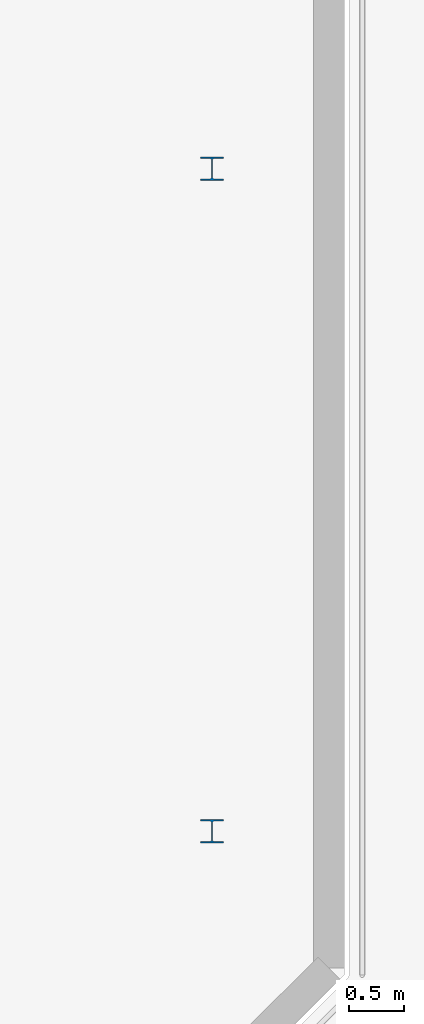
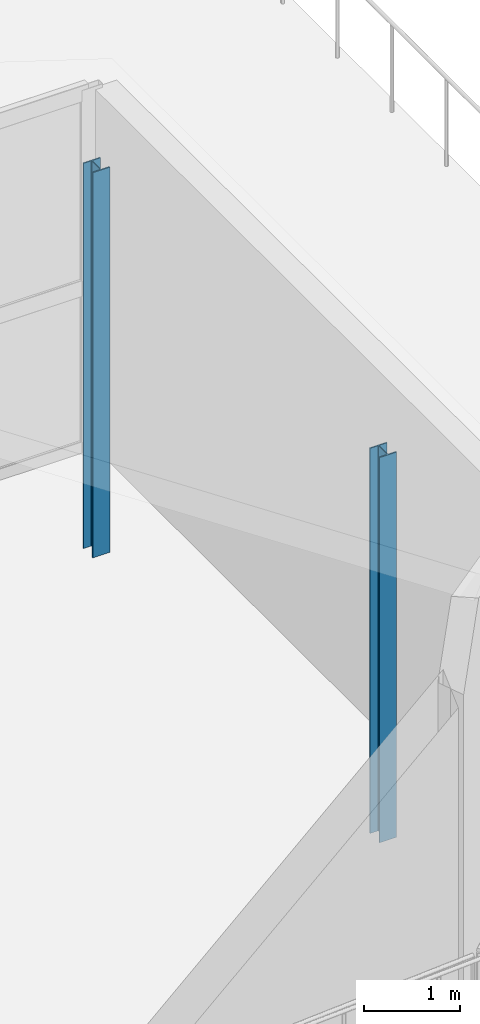
# One storey, part 2 of 9: 2 columns.
"""IFC4 building model written with IfcOpenShell, lengths in metres."""

import ifcopenshell
import ifcopenshell.guid

model = None  # the IFC model being written
_history = None  # IfcOwnerHistory: only IFC2X3 demands one
_inside = {}  # id of a spatial element -> (the spatial element, [elements in it])
_under = {}  # id of a project, library or spatial element -> (it, [spatial elements below it])
_declared = {}  # id of a project -> (the project, [libraries it declares])
_typed = {}  # id of a type object -> (the type object, [elements of that type])
_made_of = {}  # id of a material, layer set ... -> (it, [elements and type objects made of it])


def new_model(schema):
    """Start an empty IFC model of exactly this schema.

    Asked for "IFC4X3", IfcOpenShell would pick the latest addendum, in which some entities
    have other attributes; the version numbers below select the first issue.
    IFC2X3 requires an IfcOwnerHistory on every rooted entity: one is made here for all.
    """
    global model, _history
    if schema == "IFC4X3":
        model = ifcopenshell.file(schema_version=(4, 3, 0, 0))
    else:
        model = ifcopenshell.file(schema=schema)
    _inside.clear()
    _under.clear()
    _declared.clear()
    _typed.clear()
    _made_of.clear()
    _history = None
    if model.schema == "IFC2X3":
        org = make("IfcOrganization", Name="unknown")
        user = make(
            "IfcPersonAndOrganization",
            ThePerson=make("IfcPerson", FamilyName="unknown"),
            TheOrganization=org,
        )
        app = make(
            "IfcApplication",
            ApplicationDeveloper=org,
            Version="unknown",
            ApplicationFullName="unknown",
            ApplicationIdentifier="unknown",
        )
        _history = make(
            "IfcOwnerHistory",
            OwningUser=user,
            OwningApplication=app,
            ChangeAction="ADDED",
            CreationDate=0,
        )
    return model


def make(cls, **values):
    """One entity of the class cls with the attributes given. An attribute that is None is left unset."""
    return model.create_entity(
        cls, **{name: value for name, value in values.items() if value is not None}
    )


def rooted(cls, **values):
    """An entity with a GlobalId (a new one), such as an element, a storey or a relation."""
    return make(cls, GlobalId=ifcopenshell.guid.new(), OwnerHistory=_history, **values)


def si_unit(unit_type, name, prefix=None):
    """IfcSIUnit, for example si_unit("LENGTHUNIT", "METRE", prefix="MILLI")."""
    return make("IfcSIUnit", UnitType=unit_type, Prefix=prefix, Name=name)


def assignment(units):
    """IfcUnitAssignment: the units of a project."""
    return None if units is None else make("IfcUnitAssignment", Units=units)


def point(xyz):
    """IfcCartesianPoint."""
    return None if xyz is None else make("IfcCartesianPoint", Coordinates=xyz)


def direction(xyz):
    """IfcDirection."""
    return None if xyz is None else make("IfcDirection", DirectionRatios=xyz)


def frame(location, z_axis=None, x_axis=None):
    """IfcAxis2Placement3D, a coordinate frame: its origin and axes. An axis left out is left unset."""
    return make(
        "IfcAxis2Placement3D",
        Location=point(location),
        Axis=direction(z_axis),
        RefDirection=direction(x_axis),
    )


def frame_2d(location, x_axis=None):
    """IfcAxis2Placement2D, a coordinate frame in the plane: its origin and x axis."""
    return make(
        "IfcAxis2Placement2D", Location=point(location), RefDirection=direction(x_axis)
    )


def origin():
    """The frame at (0, 0, 0) with its axes left unset."""
    return frame((0.0, 0.0, 0.0))


def origin_2d():
    """The frame at (0, 0) in the plane with its x axis left unset."""
    return frame_2d((0.0, 0.0))


def place(relative_to, where):
    """IfcLocalPlacement: puts the frame where relative to a parent placement (None: the world)."""
    return make(
        "IfcLocalPlacement", PlacementRelTo=relative_to, RelativePlacement=where
    )


def context(
    kind, dimensions, precision=None, world=None, true_north=None, identifier=None
):
    """IfcGeometricRepresentationContext, for example the 3D "Model" context."""
    return make(
        "IfcGeometricRepresentationContext",
        ContextIdentifier=identifier,
        ContextType=kind,
        CoordinateSpaceDimension=dimensions,
        Precision=precision,
        WorldCoordinateSystem=world,
        TrueNorth=true_north,
    )


def subcontext(parent, identifier, kind, view, scale=None):
    """IfcGeometricRepresentationSubContext, for example "Body" below "Model"."""
    return make(
        "IfcGeometricRepresentationSubContext",
        ContextIdentifier=identifier,
        ContextType=kind,
        ParentContext=parent,
        TargetScale=scale,
        TargetView=view,
    )


def project(units=None, contexts=None):
    """IfcProject with its units and contexts."""
    return rooted(
        "IfcProject",
        Name="project",
        RepresentationContexts=contexts,
        UnitsInContext=assignment(units),
    )


def spatial(cls, under=None, at=None, **own):
    """A site, building, storey or space (cls), placed at a placement, below another one or the project."""
    s = rooted(cls, ObjectPlacement=at, **own)
    if under is not None:
        _under.setdefault(under.id(), (under, []))[1].append(s)
    return s


def profile(cls, at=None, kind="AREA", **sizes):
    """A parametric profile (cls). Its sizes go by their IFC names, for example OverallWidth=200.0."""
    return make(cls, ProfileType=kind, Position=at, **sizes)


def i_section(**sizes):
    """IfcIShapeProfileDef."""
    return profile("IfcIShapeProfileDef", **sizes)


def extrude(swept, where, along, depth):
    """IfcExtrudedAreaSolid: the profile swept, set in the frame where, extruded along a direction by depth."""
    return make(
        "IfcExtrudedAreaSolid",
        SweptArea=swept,
        Position=where,
        ExtrudedDirection=direction(along),
        Depth=depth,
    )


def shape(context_of_items, identifier, shape_type, items):
    """IfcShapeRepresentation: the items that make up one representation, for example the "Body"."""
    return make(
        "IfcShapeRepresentation",
        ContextOfItems=context_of_items,
        RepresentationIdentifier=identifier,
        RepresentationType=shape_type,
        Items=items,
    )


def material(Name=None, Category=None):
    """IfcMaterial."""
    return make("IfcMaterial", Name=Name, Category=Category)


def material_profile(
    of_material, cross_section, Name=None, Category=None, Priority=None
):
    """IfcMaterialProfile: a cross section and its material."""
    return make(
        "IfcMaterialProfile",
        Name=Name,
        Material=of_material,
        Profile=cross_section,
        Priority=Priority,
        Category=Category,
    )


def profile_set(profiles, Name=None, composite=None):
    """IfcMaterialProfileSet."""
    return make(
        "IfcMaterialProfileSet",
        Name=Name,
        MaterialProfiles=profiles,
        CompositeProfile=composite,
    )


def made_of(thing, what):
    """Note that an element or type object is made of a material, layer set ...; save() writes the relation."""
    if what is not None:
        _made_of.setdefault(what.id(), (what, []))[1].append(thing)
    return thing


def type_object(cls, material=None, **own):
    """A type object (cls), such as IfcWallType, which elements share."""
    return made_of(rooted(cls, **own), material)


def element(
    cls,
    number,
    at=None,
    inside=None,
    cuts=None,
    type_object=None,
    material=None,
    context=None,
    identifier="Body",
    shape_type=None,
    held_by="IfcProductDefinitionShape",
    body=None,
    shapes=None,
    **own,
):
    """One element of the class cls, such as IfcWall. Its Tag is "e" and its number.

    at: its placement. inside: the storey or other place that contains it. cuts: it is an
    opening in that element (IfcRelVoidsElement). A single representation is given by context,
    identifier, shape_type and body (its items); several are given by shapes. held_by: the class
    of the entity that holds the representations. save() writes the other relations.
    """
    e = rooted(cls, Tag="e%d" % number, ObjectPlacement=at, **own)
    if body is not None:
        shapes = [shape(context, identifier, shape_type, body)]
    if shapes is not None:
        e.Representation = make(held_by, Representations=shapes)
    if inside is not None:
        _inside.setdefault(inside.id(), (inside, []))[1].append(e)
    if cuts is not None:
        rooted(
            "IfcRelVoidsElement", RelatingBuildingElement=cuts, RelatedOpeningElement=e
        )
    if type_object is not None:
        _typed.setdefault(type_object.id(), (type_object, []))[1].append(e)
    return made_of(e, material)


def aggregate(whole, parts):
    """IfcRelAggregates: a whole, such as a stair, and the parts it consists of."""
    return rooted("IfcRelAggregates", RelatingObject=whole, RelatedObjects=parts)


def save(model, path):
    """Write the relations noted so far, then the file.

    IfcRelAggregates (storeys below a building ...), IfcRelContainedInSpatialStructure (elements
    in a storey), IfcRelDefinesByType, IfcRelAssociatesMaterial and IfcRelDeclares: one each for
    every whole, place, type object, material and project.
    """
    for whole, parts in _under.values():
        aggregate(whole, parts)
    for where, things in _inside.values():
        rooted(
            "IfcRelContainedInSpatialStructure",
            RelatedElements=things,
            RelatingStructure=where,
        )
    for kind, things in _typed.values():
        rooted("IfcRelDefinesByType", RelatedObjects=things, RelatingType=kind)
    for what, things in _made_of.values():
        rooted("IfcRelAssociatesMaterial", RelatedObjects=things, RelatingMaterial=what)
    for by, libraries in _declared.values():
        rooted("IfcRelDeclares", RelatingContext=by, RelatedDefinitions=libraries)
    model.write(path)


model = new_model("IFC4")

# Units and contexts
model_context = context("Model", 3, precision=1e-05, world=origin(), true_north=direction((0.0, 1.0)))
body_context = subcontext(model_context, "Body", "Model", "MODEL_VIEW")
ifc_project = project(units=[si_unit("LENGTHUNIT", "METRE"), si_unit("AREAUNIT", "SQUARE_METRE"), si_unit("VOLUMEUNIT", "CUBIC_METRE"), si_unit("PLANEANGLEUNIT", "RADIAN"), si_unit("MASSUNIT", "GRAM", prefix="KILO")], contexts=[model_context])

# Site, building, storey
site_placement = place(None, origin())
site = spatial("IfcSite", under=ifc_project, at=site_placement, CompositionType="ELEMENT")
building_placement = place(site_placement, origin())
building = spatial("IfcBuilding", under=site, at=building_placement, Name="Varnakote Quay Hospital", CompositionType="ELEMENT")
storey_placement = place(building_placement, frame((0.0, 0.0, 309.199951171875)))
storey = spatial("IfcBuildingStorey", under=building, at=storey_placement, Name="RF", CompositionType="ELEMENT", Elevation=309.199951171875)

# Columns
ifc_material = material(Name="Structural steel AS/NZS 3679.1 Grade 350 L0 (fy 340 MPa)", Category="steel")
ifc_material_profile = material_profile(ifc_material, i_section(OverallWidth=0.205078125, OverallDepth=0.2099609375, WebThickness=0.00927734375, FlangeThickness=0.01416015625, FilletRadius=0.011474609375, at=origin_2d()), Name="200UC59.5")
ifc_profile_set = profile_set([ifc_material_profile], Name="Structural steel AS/NZS 3679.1 Grade 350 L0 (fy 340 MPa)")
column_type = type_object("IfcColumnType", Name="COL-STL-200UC59-5", PredefinedType="COLUMN", material=ifc_profile_set)
for number, where, z_axis, x_axis, name in (
    (1, (33.60009765625, 6.0, 0.0), (0.0, 0.0, 1.0), (1.0, 0.0, 0.0), "RF Crown Structural Column C-2558"),
    (2, (33.60009765625, 12.0, 0.0), (0.0, 0.0, 1.0), (1.0, 0.0, 0.0), "RF Crown Structural Column C-2564"),
):
    element("IfcColumn", number, at=place(storey_placement, frame(where, z_axis=z_axis, x_axis=x_axis)), inside=storey, type_object=column_type, Name=name, PredefinedType="COLUMN", context=body_context, shape_type="SweptSolid", body=[
        extrude(i_section(OverallWidth=0.205078125, OverallDepth=0.2099609375, WebThickness=0.00927734375, FlangeThickness=0.01416015625, FilletRadius=0.011474609375, at=origin_2d()), origin(), (0.0, 0.0, 1.0), 4.91943359375),
    ])

save(model, "model.ifc")
